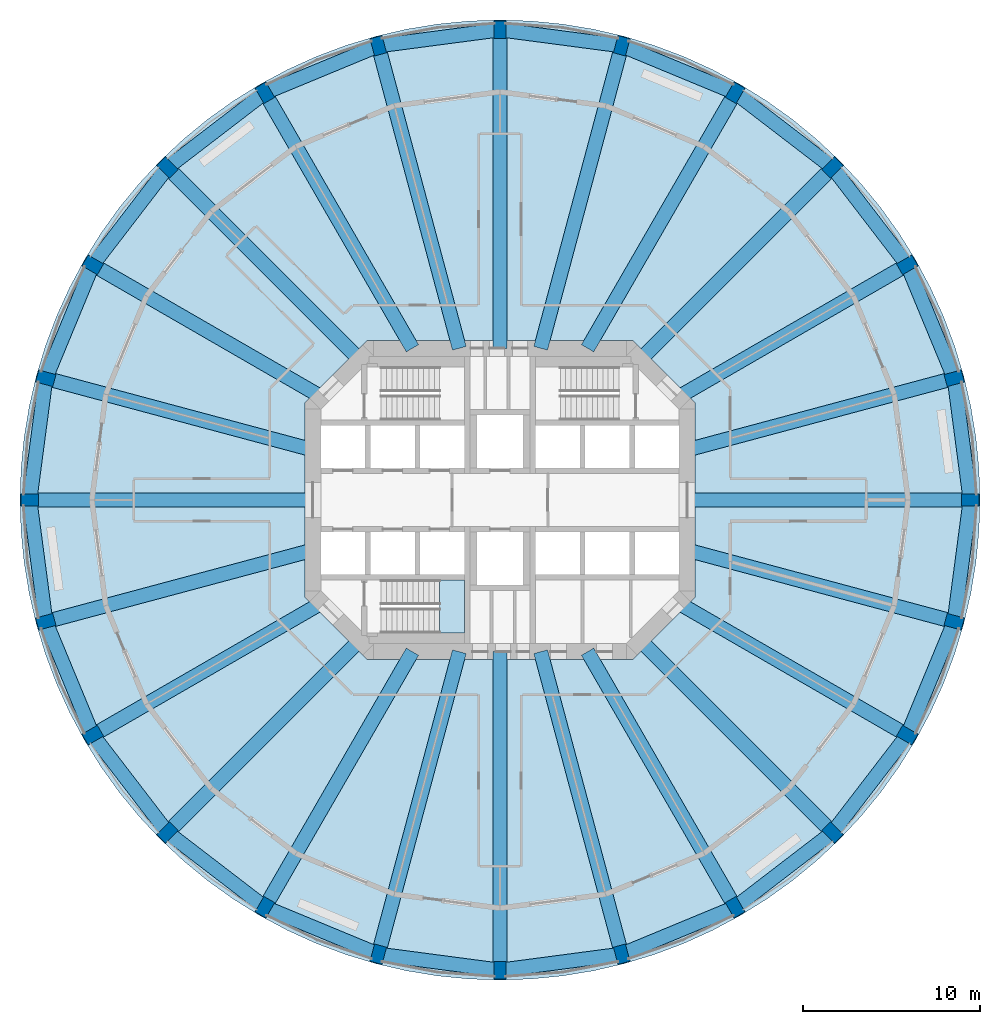
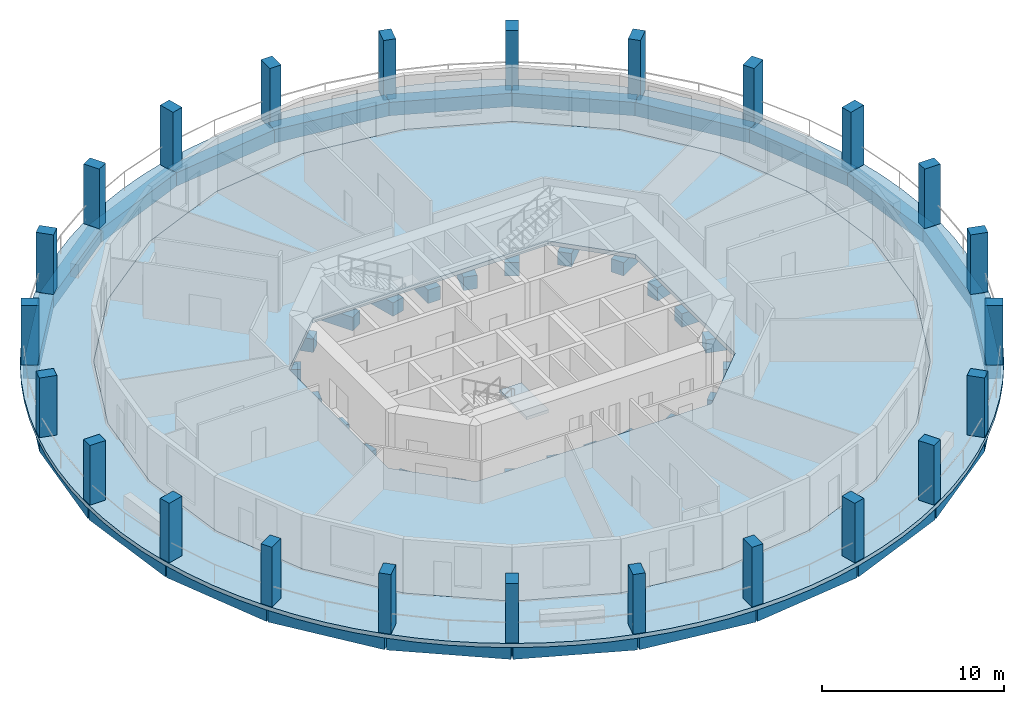
# One storey, part 1 of 9: 48 beams, 24 columns, 3 slabs, 1 element without a shape of its own.
"""IFC4 building model written with IfcOpenShell, lengths in metres."""

from ifc_helpers import new_model, si_unit, direction, frame, origin, origin_2d, place, context, subcontext, project, spatial, polyline, rectangle, outline, extrude, material, layer, layer_set, material_profile, profile_set, type_object, element, aggregate, save


model = new_model("IFC4")

# Units and contexts
model_context = context("Model", 3, precision=1e-05, world=origin(), true_north=direction((0.0, 1.0)))
body_context = subcontext(model_context, "Body", "Model", "MODEL_VIEW")
ifc_project = project(units=[si_unit("LENGTHUNIT", "METRE"), si_unit("AREAUNIT", "SQUARE_METRE"), si_unit("VOLUMEUNIT", "CUBIC_METRE"), si_unit("PLANEANGLEUNIT", "RADIAN"), si_unit("MASSUNIT", "GRAM", prefix="KILO")], contexts=[model_context])

# Site, building, storey
site_placement = place(None, origin())
site = spatial("IfcSite", under=ifc_project, at=site_placement, CompositionType="ELEMENT")
building_placement = place(site_placement, origin())
building = spatial("IfcBuilding", under=site, at=building_placement, Name="Torre Triforio", CompositionType="ELEMENT")
storey_placement = place(building_placement, frame((0.0, 0.0, 75.0)))
storey = spatial("IfcBuildingStorey", under=building, at=storey_placement, Name="L16", CompositionType="ELEMENT", Elevation=75.0)

# Columns
ifc_material_1 = material(Name="Concrete C70", Category="concrete")
ifc_material_profile_1 = material_profile(ifc_material_1, rectangle(XDim=0.699951171875, YDim=1.0, at=origin_2d()), Name="RC 700x1000")
ifc_profile_set_1 = profile_set([ifc_material_profile_1], Name="Concrete C70")
column_type = type_object("IfcColumnType", Name="Pier RC 700x1000 C70", PredefinedType="COLUMN", material=ifc_profile_set_1)
for number, where, z_axis, x_axis, name in (
    (1, (26.5, 0.0, 0.0), (0.0, 0.0, 1.0), (0.0, 1.0, 0.0), "COL.R.L16.00"),
    (2, (25.596923828125, 6.858642578125, 0.0), (0.0, 0.0, 1.0), (-0.258819045103, 0.965925826289, 0.0), "COL.R.L16.01"),
    (3, (22.94970703125, 13.25, 0.0), (0.0, 0.0, 1.0), (-0.5, 0.866025403784, 0.0), "COL.R.L16.02"),
    (4, (18.73828125, 18.73828125, 0.0), (0.0, 0.0, 1.0), (-0.707106781187, 0.707106781187, 0.0), "COL.R.L16.03"),
    (5, (13.25, 22.94970703125, 0.0), (0.0, 0.0, 1.0), (-0.866025403784, 0.5, 0.0), "COL.R.L16.04"),
    (6, (6.858642578125, 25.596923828125, 0.0), (0.0, 0.0, 1.0), (-0.965925826289, 0.258819045103, 0.0), "COL.R.L16.05"),
    (7, (0.0, 26.5, 0.0), (0.0, 0.0, 1.0), (-1.0, 0.0, 0.0), "COL.R.L16.06"),
    (8, (-6.858642578125, 25.596923828125, 0.0), (0.0, 0.0, 1.0), (-0.965925826289, -0.258819045103, 0.0), "COL.R.L16.07"),
    (9, (-13.25, 22.94970703125, 0.0), (0.0, 0.0, 1.0), (-0.866025403784, -0.5, 0.0), "COL.R.L16.08"),
    (10, (-18.73828125, 18.73828125, 0.0), (0.0, 0.0, 1.0), (-0.707106781187, -0.707106781187, 0.0), "COL.R.L16.09"),
    (11, (-22.94970703125, 13.25, 0.0), (0.0, 0.0, 1.0), (-0.5, -0.866025403784, 0.0), "COL.R.L16.10"),
    (12, (-25.596923828125, 6.858642578125, 0.0), (0.0, 0.0, 1.0), (-0.258819045103, -0.965925826289, 0.0), "COL.R.L16.11"),
    (13, (-26.5, 0.0, 0.0), (0.0, 0.0, 1.0), (0.0, -1.0, 0.0), "COL.R.L16.12"),
    (14, (-25.596923828125, -6.858642578125, 0.0), (0.0, 0.0, 1.0), (0.258819045103, -0.965925826289, 0.0), "COL.R.L16.13"),
    (15, (-22.94970703125, -13.25, 0.0), (0.0, 0.0, 1.0), (0.5, -0.866025403784, 0.0), "COL.R.L16.14"),
    (16, (-18.73828125, -18.73828125, 0.0), (0.0, 0.0, 1.0), (0.707106781187, -0.707106781187, 0.0), "COL.R.L16.15"),
    (17, (-13.25, -22.94970703125, 0.0), (0.0, 0.0, 1.0), (0.866025403784, -0.5, 0.0), "COL.R.L16.16"),
    (18, (-6.858642578125, -25.596923828125, 0.0), (0.0, 0.0, 1.0), (0.965925826289, -0.258819045103, 0.0), "COL.R.L16.17"),
    (19, (0.0, -26.5, 0.0), (0.0, 0.0, 1.0), (1.0, 0.0, 0.0), "COL.R.L16.18"),
    (20, (6.858642578125, -25.596923828125, 0.0), (0.0, 0.0, 1.0), (0.965925826289, 0.258819045103, 0.0), "COL.R.L16.19"),
    (21, (13.25, -22.94970703125, 0.0), (0.0, 0.0, 1.0), (0.866025403784, 0.5, 0.0), "COL.R.L16.20"),
    (22, (18.73828125, -18.73828125, 0.0), (0.0, 0.0, 1.0), (0.707106781187, 0.707106781187, 0.0), "COL.R.L16.21"),
    (23, (22.94970703125, -13.25, 0.0), (0.0, 0.0, 1.0), (0.5, 0.866025403784, 0.0), "COL.R.L16.22"),
    (24, (25.596923828125, -6.858642578125, 0.0), (0.0, 0.0, 1.0), (0.258819045103, 0.965925826289, 0.0), "COL.R.L16.23"),
):
    element("IfcColumn", number, at=place(storey_placement, frame(where, z_axis=z_axis, x_axis=x_axis)), inside=storey, type_object=column_type, Name=name, PredefinedType="COLUMN", context=body_context, shape_type="SweptSolid", body=[
        extrude(rectangle(XDim=0.699951171875, YDim=1.0, at=origin_2d()), origin(), (0.0, 0.0, 1.0), 4.0),
    ])

# Beams
ifc_material_2 = material(Name="Concrete C50", Category="concrete")
ifc_material_profile_2 = material_profile(ifc_material_2, rectangle(XDim=0.800048828125, YDim=0.89990234375, at=origin_2d()), Name="RC 800x900")
ifc_profile_set_2 = profile_set([ifc_material_profile_2], Name="Concrete C50")
beam_type_1 = type_object("IfcBeamType", Name="Radial beam RC 800x900 C50", PredefinedType="BEAM", material=ifc_profile_set_2)
beam_1_placement = place(storey_placement, frame((10.550048828125, 0.0, -0.72998046875), z_axis=(1.0, 0.0, 0.0), x_axis=(0.0, 1.0, 0.0)))
element("IfcBeam", 25, at=beam_1_placement, inside=storey, type_object=beam_type_1, Name="BM.R.L16.00", PredefinedType="BEAM", context=body_context, shape_type="SweptSolid", body=[
    extrude(rectangle(XDim=0.800048828125, YDim=0.89990234375, at=origin_2d()), origin(), (0.0, 0.0, 1.0), 15.949951171875),
])
beam_2_placement = place(storey_placement, frame((10.550048828125, 2.826904296875, -0.72998046875), z_axis=(0.965926784764, 0.258815467997, 0.0), x_axis=(-0.258815467997, 0.965926784764, 0.0)))
element("IfcBeam", 26, at=beam_2_placement, inside=storey, type_object=beam_type_1, Name="BM.R.L16.01", PredefinedType="BEAM", context=body_context, shape_type="SweptSolid", body=[
    extrude(rectangle(XDim=0.800048828125, YDim=0.89990234375, at=origin_2d()), origin(), (0.0, 0.0, 1.0), 15.57763671875),
])
beam_3_placement = place(storey_placement, frame((10.039794921875, 5.796630859375, -0.72998046875), z_axis=(0.866030402573, 0.499991341745, 0.0), x_axis=(-0.499991341745, 0.866030402573, 0.0)))
element("IfcBeam", 27, at=beam_3_placement, inside=storey, type_object=beam_type_1, Name="BM.R.L16.02", PredefinedType="BEAM", context=body_context, shape_type="SweptSolid", body=[
    extrude(rectangle(XDim=0.800048828125, YDim=0.89990234375, at=origin_2d()), origin(), (0.0, 0.0, 1.0), 14.906982421875),
])
beam_4_placement = place(storey_placement, frame((7.918212890625, 7.918212890625, -0.72998046875), z_axis=(0.707106781187, 0.707106781187, 0.0), x_axis=(-0.707106781187, 0.707106781187, 0.0)))
element("IfcBeam", 28, at=beam_4_placement, inside=storey, type_object=beam_type_1, Name="BM.R.L16.03", PredefinedType="BEAM", context=body_context, shape_type="SweptSolid", body=[
    extrude(rectangle(XDim=0.800048828125, YDim=0.89990234375, at=origin_2d()), origin(), (0.0, 0.0, 1.0), 15.302001953125),
])
beam_5_placement = place(storey_placement, frame((4.936279296875, 8.550048828125, -0.72998046875), z_axis=(0.500003345241, 0.8660234724, 0.0), x_axis=(-0.8660234724, 0.500003345241, 0.0)))
element("IfcBeam", 29, at=beam_5_placement, inside=storey, type_object=beam_type_1, Name="BM.R.L16.04", PredefinedType="BEAM", context=body_context, shape_type="SweptSolid", body=[
    extrude(rectangle(XDim=0.800048828125, YDim=0.89990234375, at=origin_2d()), origin(), (0.0, 0.0, 1.0), 16.62744140625),
])
beam_6_placement = place(storey_placement, frame((2.291015625, 8.550048828125, -0.72998046875), z_axis=(0.258815374176, 0.965926809903, 0.0), x_axis=(-0.965926809903, 0.258815374176, 0.0)))
element("IfcBeam", 30, at=beam_6_placement, inside=storey, type_object=beam_type_1, Name="BM.R.L16.05", PredefinedType="BEAM", context=body_context, shape_type="SweptSolid", body=[
    extrude(rectangle(XDim=0.800048828125, YDim=0.89990234375, at=origin_2d()), origin(), (0.0, 0.0, 1.0), 17.648193359375),
])
beam_7_placement = place(storey_placement, frame((0.0, 8.550048828125, -0.72998046875), z_axis=(0.0, 1.0, 0.0), x_axis=(-1.0, 0.0, 0.0)))
element("IfcBeam", 31, at=beam_7_placement, inside=storey, type_object=beam_type_1, Name="BM.R.L16.06", PredefinedType="BEAM", context=body_context, shape_type="SweptSolid", body=[
    extrude(rectangle(XDim=0.800048828125, YDim=0.89990234375, at=origin_2d()), origin(), (0.0, 0.0, 1.0), 17.949951171875),
])
beam_8_placement = place(storey_placement, frame((-2.291015625, 8.550048828125, -0.72998046875), z_axis=(-0.258815374176, 0.965926809903, 0.0), x_axis=(-0.965926809903, -0.258815374176, 0.0)))
element("IfcBeam", 32, at=beam_8_placement, inside=storey, type_object=beam_type_1, Name="BM.R.L16.07", PredefinedType="BEAM", context=body_context, shape_type="SweptSolid", body=[
    extrude(rectangle(XDim=0.800048828125, YDim=0.89990234375, at=origin_2d()), origin(), (0.0, 0.0, 1.0), 17.648193359375),
])
beam_9_placement = place(storey_placement, frame((-4.936279296875, 8.550048828125, -0.72998046875), z_axis=(-0.500003345241, 0.8660234724, 0.0), x_axis=(-0.8660234724, -0.500003345241, 0.0)))
element("IfcBeam", 33, at=beam_9_placement, inside=storey, type_object=beam_type_1, Name="BM.R.L16.08", PredefinedType="BEAM", context=body_context, shape_type="SweptSolid", body=[
    extrude(rectangle(XDim=0.800048828125, YDim=0.89990234375, at=origin_2d()), origin(), (0.0, 0.0, 1.0), 16.62744140625),
])
beam_10_placement = place(storey_placement, frame((-7.918212890625, 7.918212890625, -0.72998046875), z_axis=(-0.707106781187, 0.707106781187, 0.0), x_axis=(-0.707106781187, -0.707106781187, 0.0)))
element("IfcBeam", 34, at=beam_10_placement, inside=storey, type_object=beam_type_1, Name="BM.R.L16.09", PredefinedType="BEAM", context=body_context, shape_type="SweptSolid", body=[
    extrude(rectangle(XDim=0.800048828125, YDim=0.89990234375, at=origin_2d()), origin(), (0.0, 0.0, 1.0), 15.302001953125),
])
beam_11_placement = place(storey_placement, frame((-10.039794921875, 5.796630859375, -0.72998046875), z_axis=(-0.866030402573, 0.499991341745, 0.0), x_axis=(-0.499991341745, -0.866030402573, 0.0)))
element("IfcBeam", 35, at=beam_11_placement, inside=storey, type_object=beam_type_1, Name="BM.R.L16.10", PredefinedType="BEAM", context=body_context, shape_type="SweptSolid", body=[
    extrude(rectangle(XDim=0.800048828125, YDim=0.89990234375, at=origin_2d()), origin(), (0.0, 0.0, 1.0), 14.906982421875),
])
beam_12_placement = place(storey_placement, frame((-10.550048828125, 2.826904296875, -0.72998046875), z_axis=(-0.965926784764, 0.258815467997, 0.0), x_axis=(-0.258815467997, -0.965926784764, 0.0)))
element("IfcBeam", 36, at=beam_12_placement, inside=storey, type_object=beam_type_1, Name="BM.R.L16.11", PredefinedType="BEAM", context=body_context, shape_type="SweptSolid", body=[
    extrude(rectangle(XDim=0.800048828125, YDim=0.89990234375, at=origin_2d()), origin(), (0.0, 0.0, 1.0), 15.57763671875),
])
beam_13_placement = place(storey_placement, frame((-10.550048828125, 0.0, -0.72998046875), z_axis=(-1.0, 0.0, 0.0), x_axis=(0.0, -1.0, 0.0)))
element("IfcBeam", 37, at=beam_13_placement, inside=storey, type_object=beam_type_1, Name="BM.R.L16.12", PredefinedType="BEAM", context=body_context, shape_type="SweptSolid", body=[
    extrude(rectangle(XDim=0.800048828125, YDim=0.89990234375, at=origin_2d()), origin(), (0.0, 0.0, 1.0), 15.949951171875),
])
beam_14_placement = place(storey_placement, frame((-10.550048828125, -2.826904296875, -0.72998046875), z_axis=(-0.965926784764, -0.258815467997, 0.0), x_axis=(0.258815467997, -0.965926784764, 0.0)))
element("IfcBeam", 38, at=beam_14_placement, inside=storey, type_object=beam_type_1, Name="BM.R.L16.13", PredefinedType="BEAM", context=body_context, shape_type="SweptSolid", body=[
    extrude(rectangle(XDim=0.800048828125, YDim=0.89990234375, at=origin_2d()), origin(), (0.0, 0.0, 1.0), 15.57763671875),
])
beam_15_placement = place(storey_placement, frame((-10.039794921875, -5.796630859375, -0.72998046875), z_axis=(-0.866030402573, -0.499991341745, 0.0), x_axis=(0.499991341745, -0.866030402573, 0.0)))
element("IfcBeam", 39, at=beam_15_placement, inside=storey, type_object=beam_type_1, Name="BM.R.L16.14", PredefinedType="BEAM", context=body_context, shape_type="SweptSolid", body=[
    extrude(rectangle(XDim=0.800048828125, YDim=0.89990234375, at=origin_2d()), origin(), (0.0, 0.0, 1.0), 14.906982421875),
])
beam_16_placement = place(storey_placement, frame((-7.918212890625, -7.918212890625, -0.72998046875), z_axis=(-0.707106781187, -0.707106781187, 0.0), x_axis=(0.707106781187, -0.707106781187, 0.0)))
element("IfcBeam", 40, at=beam_16_placement, inside=storey, type_object=beam_type_1, Name="BM.R.L16.15", PredefinedType="BEAM", context=body_context, shape_type="SweptSolid", body=[
    extrude(rectangle(XDim=0.800048828125, YDim=0.89990234375, at=origin_2d()), origin(), (0.0, 0.0, 1.0), 15.302001953125),
])
beam_17_placement = place(storey_placement, frame((-4.936279296875, -8.550048828125, -0.72998046875), z_axis=(-0.500003345241, -0.8660234724, 0.0), x_axis=(0.8660234724, -0.500003345241, 0.0)))
element("IfcBeam", 41, at=beam_17_placement, inside=storey, type_object=beam_type_1, Name="BM.R.L16.16", PredefinedType="BEAM", context=body_context, shape_type="SweptSolid", body=[
    extrude(rectangle(XDim=0.800048828125, YDim=0.89990234375, at=origin_2d()), origin(), (0.0, 0.0, 1.0), 16.62744140625),
])
beam_18_placement = place(storey_placement, frame((-2.291015625, -8.550048828125, -0.72998046875), z_axis=(-0.258815374176, -0.965926809903, 0.0), x_axis=(0.965926809903, -0.258815374176, 0.0)))
element("IfcBeam", 42, at=beam_18_placement, inside=storey, type_object=beam_type_1, Name="BM.R.L16.17", PredefinedType="BEAM", context=body_context, shape_type="SweptSolid", body=[
    extrude(rectangle(XDim=0.800048828125, YDim=0.89990234375, at=origin_2d()), origin(), (0.0, 0.0, 1.0), 17.648193359375),
])
beam_19_placement = place(storey_placement, frame((0.0, -8.550048828125, -0.72998046875), z_axis=(0.0, -1.0, 0.0), x_axis=(1.0, 0.0, 0.0)))
element("IfcBeam", 43, at=beam_19_placement, inside=storey, type_object=beam_type_1, Name="BM.R.L16.18", PredefinedType="BEAM", context=body_context, shape_type="SweptSolid", body=[
    extrude(rectangle(XDim=0.800048828125, YDim=0.89990234375, at=origin_2d()), origin(), (0.0, 0.0, 1.0), 17.949951171875),
])
beam_20_placement = place(storey_placement, frame((2.291015625, -8.550048828125, -0.72998046875), z_axis=(0.258815374176, -0.965926809903, 0.0), x_axis=(0.965926809903, 0.258815374176, 0.0)))
element("IfcBeam", 44, at=beam_20_placement, inside=storey, type_object=beam_type_1, Name="BM.R.L16.19", PredefinedType="BEAM", context=body_context, shape_type="SweptSolid", body=[
    extrude(rectangle(XDim=0.800048828125, YDim=0.89990234375, at=origin_2d()), origin(), (0.0, 0.0, 1.0), 17.648193359375),
])
beam_21_placement = place(storey_placement, frame((4.936279296875, -8.550048828125, -0.72998046875), z_axis=(0.500003345241, -0.8660234724, 0.0), x_axis=(0.8660234724, 0.500003345241, 0.0)))
element("IfcBeam", 45, at=beam_21_placement, inside=storey, type_object=beam_type_1, Name="BM.R.L16.20", PredefinedType="BEAM", context=body_context, shape_type="SweptSolid", body=[
    extrude(rectangle(XDim=0.800048828125, YDim=0.89990234375, at=origin_2d()), origin(), (0.0, 0.0, 1.0), 16.62744140625),
])
beam_22_placement = place(storey_placement, frame((7.918212890625, -7.918212890625, -0.72998046875), z_axis=(0.707106781187, -0.707106781187, 0.0), x_axis=(0.707106781187, 0.707106781187, 0.0)))
element("IfcBeam", 46, at=beam_22_placement, inside=storey, type_object=beam_type_1, Name="BM.R.L16.21", PredefinedType="BEAM", context=body_context, shape_type="SweptSolid", body=[
    extrude(rectangle(XDim=0.800048828125, YDim=0.89990234375, at=origin_2d()), origin(), (0.0, 0.0, 1.0), 15.302001953125),
])
beam_23_placement = place(storey_placement, frame((10.039794921875, -5.796630859375, -0.72998046875), z_axis=(0.866030402573, -0.499991341745, 0.0), x_axis=(0.499991341745, 0.866030402573, 0.0)))
element("IfcBeam", 47, at=beam_23_placement, inside=storey, type_object=beam_type_1, Name="BM.R.L16.22", PredefinedType="BEAM", context=body_context, shape_type="SweptSolid", body=[
    extrude(rectangle(XDim=0.800048828125, YDim=0.89990234375, at=origin_2d()), origin(), (0.0, 0.0, 1.0), 14.906982421875),
])
beam_24_placement = place(storey_placement, frame((10.550048828125, -2.826904296875, -0.72998046875), z_axis=(0.965926784764, -0.258815467997, 0.0), x_axis=(0.258815467997, 0.965926784764, 0.0)))
element("IfcBeam", 48, at=beam_24_placement, inside=storey, type_object=beam_type_1, Name="BM.R.L16.23", PredefinedType="BEAM", context=body_context, shape_type="SweptSolid", body=[
    extrude(rectangle(XDim=0.800048828125, YDim=0.89990234375, at=origin_2d()), origin(), (0.0, 0.0, 1.0), 15.57763671875),
])
ifc_material_profile_3 = material_profile(ifc_material_2, rectangle(XDim=0.800048828125, YDim=0.89990234375, at=origin_2d()), Name="RC 800x900")
ifc_profile_set_3 = profile_set([ifc_material_profile_3], Name="Concrete C50")
beam_type_2 = type_object("IfcBeamType", Name="Spandrel beam RC 800x900 C50", PredefinedType="SPANDREL", material=ifc_profile_set_3)
beam_25_placement = place(storey_placement, frame((26.5, 0.0, -0.72998046875), z_axis=(-0.130543064996, 0.991442639885, 0.0), x_axis=(-0.991442639885, -0.130543064996, 0.0)))
element("IfcBeam", 49, at=beam_25_placement, inside=storey, type_object=beam_type_2, Name="BM.S.L16.00", PredefinedType="SPANDREL", context=body_context, shape_type="SweptSolid", body=[
    extrude(rectangle(XDim=0.800048828125, YDim=0.89990234375, at=origin_2d()), origin(), (0.0, 0.0, 1.0), 6.917724609375),
])
for number, where, z_axis, x_axis, name in (
    (50, (25.596923828125, 6.858642578125, -0.72998046875), (-0.382662441128, 0.923888227087, 0.0), (-0.923888227087, -0.382662441128, 0.0), "BM.S.L16.01"),
    (51, (22.94970703125, 13.25, -0.72998046875), (-0.608772297796, 0.793345000259, 0.0), (-0.793345000259, -0.608772297796, 0.0), "BM.S.L16.02"),
    (52, (18.73828125, 18.73828125, -0.72998046875), (-0.793345000259, 0.608772297796, 0.0), (-0.608772297796, -0.793345000259, 0.0), "BM.S.L16.03"),
    (53, (13.25, 22.94970703125, -0.72998046875), (-0.923888227087, 0.382662441128, 0.0), (-0.382662441128, -0.923888227087, 0.0), "BM.S.L16.04"),
):
    element("IfcBeam", number, at=place(storey_placement, frame(where, z_axis=z_axis, x_axis=x_axis)), inside=storey, type_object=beam_type_2, Name=name, PredefinedType="SPANDREL", context=body_context, shape_type="SweptSolid", body=[
        extrude(rectangle(XDim=0.800048828125, YDim=0.89990234375, at=origin_2d()), origin(), (0.0, 0.0, 1.0), 6.91796875),
    ])
for number, where, z_axis, x_axis, name in (
    (54, (6.858642578125, 25.596923828125, -0.72998046875), (-0.991442639885, 0.130543064996, 0.0), (-0.130543064996, -0.991442639885, 0.0), "BM.S.L16.05"),
    (55, (0.0, 26.5, -0.72998046875), (-0.991442639885, -0.130543064996, 0.0), (0.130543064996, -0.991442639885, 0.0), "BM.S.L16.06"),
):
    element("IfcBeam", number, at=place(storey_placement, frame(where, z_axis=z_axis, x_axis=x_axis)), inside=storey, type_object=beam_type_2, Name=name, PredefinedType="SPANDREL", context=body_context, shape_type="SweptSolid", body=[
        extrude(rectangle(XDim=0.800048828125, YDim=0.89990234375, at=origin_2d()), origin(), (0.0, 0.0, 1.0), 6.917724609375),
    ])
for number, where, z_axis, x_axis, name in (
    (56, (-6.858642578125, 25.596923828125, -0.72998046875), (-0.923888227087, -0.382662441128, 0.0), (0.382662441128, -0.923888227087, 0.0), "BM.S.L16.07"),
    (57, (-13.25, 22.94970703125, -0.72998046875), (-0.793345000259, -0.608772297796, 0.0), (0.608772297796, -0.793345000259, 0.0), "BM.S.L16.08"),
    (58, (-18.73828125, 18.73828125, -0.72998046875), (-0.608772297796, -0.793345000259, 0.0), (0.793345000259, -0.608772297796, 0.0), "BM.S.L16.09"),
    (59, (-22.94970703125, 13.25, -0.72998046875), (-0.382662441128, -0.923888227087, 0.0), (0.923888227087, -0.382662441128, 0.0), "BM.S.L16.10"),
):
    element("IfcBeam", number, at=place(storey_placement, frame(where, z_axis=z_axis, x_axis=x_axis)), inside=storey, type_object=beam_type_2, Name=name, PredefinedType="SPANDREL", context=body_context, shape_type="SweptSolid", body=[
        extrude(rectangle(XDim=0.800048828125, YDim=0.89990234375, at=origin_2d()), origin(), (0.0, 0.0, 1.0), 6.91796875),
    ])
for number, where, z_axis, x_axis, name in (
    (60, (-25.596923828125, 6.858642578125, -0.72998046875), (-0.130543064996, -0.991442639885, 0.0), (0.991442639885, -0.130543064996, 0.0), "BM.S.L16.11"),
    (61, (-26.5, 0.0, -0.72998046875), (0.130543064996, -0.991442639885, 0.0), (0.991442639885, 0.130543064996, 0.0), "BM.S.L16.12"),
):
    element("IfcBeam", number, at=place(storey_placement, frame(where, z_axis=z_axis, x_axis=x_axis)), inside=storey, type_object=beam_type_2, Name=name, PredefinedType="SPANDREL", context=body_context, shape_type="SweptSolid", body=[
        extrude(rectangle(XDim=0.800048828125, YDim=0.89990234375, at=origin_2d()), origin(), (0.0, 0.0, 1.0), 6.917724609375),
    ])
for number, where, z_axis, x_axis, name in (
    (62, (-25.596923828125, -6.858642578125, -0.72998046875), (0.382662441128, -0.923888227087, 0.0), (0.923888227087, 0.382662441128, 0.0), "BM.S.L16.13"),
    (63, (-22.94970703125, -13.25, -0.72998046875), (0.608772297796, -0.793345000259, 0.0), (0.793345000259, 0.608772297796, 0.0), "BM.S.L16.14"),
    (64, (-18.73828125, -18.73828125, -0.72998046875), (0.793345000259, -0.608772297796, 0.0), (0.608772297796, 0.793345000259, 0.0), "BM.S.L16.15"),
    (65, (-13.25, -22.94970703125, -0.72998046875), (0.923888227087, -0.382662441128, 0.0), (0.382662441128, 0.923888227087, 0.0), "BM.S.L16.16"),
):
    element("IfcBeam", number, at=place(storey_placement, frame(where, z_axis=z_axis, x_axis=x_axis)), inside=storey, type_object=beam_type_2, Name=name, PredefinedType="SPANDREL", context=body_context, shape_type="SweptSolid", body=[
        extrude(rectangle(XDim=0.800048828125, YDim=0.89990234375, at=origin_2d()), origin(), (0.0, 0.0, 1.0), 6.91796875),
    ])
for number, where, z_axis, x_axis, name in (
    (66, (-6.858642578125, -25.596923828125, -0.72998046875), (0.991442639885, -0.130543064996, 0.0), (0.130543064996, 0.991442639885, 0.0), "BM.S.L16.17"),
    (67, (0.0, -26.5, -0.72998046875), (0.991442639885, 0.130543064996, 0.0), (-0.130543064996, 0.991442639885, 0.0), "BM.S.L16.18"),
):
    element("IfcBeam", number, at=place(storey_placement, frame(where, z_axis=z_axis, x_axis=x_axis)), inside=storey, type_object=beam_type_2, Name=name, PredefinedType="SPANDREL", context=body_context, shape_type="SweptSolid", body=[
        extrude(rectangle(XDim=0.800048828125, YDim=0.89990234375, at=origin_2d()), origin(), (0.0, 0.0, 1.0), 6.917724609375),
    ])
for number, where, z_axis, x_axis, name in (
    (68, (6.858642578125, -25.596923828125, -0.72998046875), (0.923888227087, 0.382662441128, 0.0), (-0.382662441128, 0.923888227087, 0.0), "BM.S.L16.19"),
    (69, (13.25, -22.94970703125, -0.72998046875), (0.793345000259, 0.608772297796, 0.0), (-0.608772297796, 0.793345000259, 0.0), "BM.S.L16.20"),
    (70, (18.73828125, -18.73828125, -0.72998046875), (0.608772297796, 0.793345000259, 0.0), (-0.793345000259, 0.608772297796, 0.0), "BM.S.L16.21"),
    (71, (22.94970703125, -13.25, -0.72998046875), (0.382662441128, 0.923888227087, 0.0), (-0.923888227087, 0.382662441128, 0.0), "BM.S.L16.22"),
):
    element("IfcBeam", number, at=place(storey_placement, frame(where, z_axis=z_axis, x_axis=x_axis)), inside=storey, type_object=beam_type_2, Name=name, PredefinedType="SPANDREL", context=body_context, shape_type="SweptSolid", body=[
        extrude(rectangle(XDim=0.800048828125, YDim=0.89990234375, at=origin_2d()), origin(), (0.0, 0.0, 1.0), 6.91796875),
    ])
beam_26_placement = place(storey_placement, frame((25.596923828125, -6.858642578125, -0.72998046875), z_axis=(0.130543064996, 0.991442639885, 0.0), x_axis=(-0.991442639885, 0.130543064996, 0.0)))
element("IfcBeam", 72, at=beam_26_placement, inside=storey, type_object=beam_type_2, Name="BM.S.L16.23", PredefinedType="SPANDREL", context=body_context, shape_type="SweptSolid", body=[
    extrude(rectangle(XDim=0.800048828125, YDim=0.89990234375, at=origin_2d()), origin(), (0.0, 0.0, 1.0), 6.917724609375),
])

# Slabs
ifc_layer_1 = layer(ifc_material_2, 0.280029296875)
ifc_layer_set_1 = layer_set([ifc_layer_1], Name="Concrete C50")
slab_type_1 = type_object("IfcSlabType", Name="Floor slab 280 C50", PredefinedType="FLOOR", material=ifc_layer_set_1)
slab_1_placement = place(storey_placement, frame((0.0, 0.0, -0.280029296875)))
element("IfcSlab", 73, at=slab_1_placement, inside=storey, type_object=slab_type_1, Name="SL.L16", PredefinedType="FLOOR", context=body_context, shape_type="SweptSolid", body=[
    extrude(outline(polyline([(19.918701171875, -11.5), (22.21630859375, -5.952880859375), (23.0, 0.0), (22.21630859375, 5.952880859375), (19.918701171875, 11.5), (16.263427734375, 16.263427734375), (11.5, 19.918701171875), (5.952880859375, 22.21630859375), (0.0, 23.0), (-5.952880859375, 22.21630859375), (-11.5, 19.918701171875), (-16.263427734375, 16.263427734375), (-19.918701171875, 11.5), (-22.21630859375, 5.952880859375), (-23.0, 0.0), (-22.21630859375, -5.952880859375), (-19.918701171875, -11.5), (-16.263427734375, -16.263427734375), (-11.5, -19.918701171875), (-5.952880859375, -22.21630859375), (0.0, -23.0), (5.952880859375, -22.21630859375), (11.5, -19.918701171875), (16.263427734375, -16.263427734375), (19.918701171875, -11.5)]), holes=[polyline([(11.0, 5.472900390625), (11.0, -5.472900390625), (7.472900390625, -9.0), (-7.472900390625, -9.0), (-11.0, -5.472900390625), (-11.0, 5.472900390625), (-7.472900390625, 9.0), (7.472900390625, 9.0), (11.0, 5.472900390625)])]), origin(), (0.0, 0.0, 1.0), 0.280029296875),
])
ifc_layer_2 = layer(ifc_material_2, 0.280029296875)
ifc_layer_set_2 = layer_set([ifc_layer_2], Name="Concrete C50")
slab_type_2 = type_object("IfcSlabType", Name="Loggia slab 280 C50", PredefinedType="FLOOR", material=ifc_layer_set_2)
slab_2_placement = place(storey_placement, frame((0.0, 0.0, -0.280029296875)))
element("IfcSlab", 74, at=slab_2_placement, inside=storey, type_object=slab_type_2, Name="SL.L16.LG", PredefinedType="FLOOR", context=body_context, shape_type="SweptSolid", body=[
    extrude(outline(polyline([(26.9921875, -1.76904296875), (27.050048828125, 0.0), (26.9921875, 1.76904296875), (26.818603515625, 3.53076171875), (26.5302734375, 5.277099609375), (26.128173828125, 7.0009765625), (25.614501953125, 8.69482421875), (24.990966796875, 10.3515625), (24.260498046875, 11.9638671875), (23.426025390625, 13.52490234375), (22.4912109375, 15.028076171875), (21.460205078125, 16.467041015625), (20.337158203125, 17.835205078125), (19.127197265625, 19.127197265625), (17.835205078125, 20.337158203125), (16.467041015625, 21.460205078125), (15.028076171875, 22.4912109375), (13.52490234375, 23.426025390625), (11.9638671875, 24.260498046875), (10.3515625, 24.990966796875), (8.69482421875, 25.614501953125), (7.0009765625, 26.128173828125), (5.277099609375, 26.5302734375), (3.53076171875, 26.818603515625), (1.76904296875, 26.9921875), (0.0, 27.050048828125), (-1.76904296875, 26.9921875), (-3.53076171875, 26.818603515625), (-5.277099609375, 26.5302734375), (-7.0009765625, 26.128173828125), (-8.69482421875, 25.614501953125), (-10.3515625, 24.990966796875), (-11.9638671875, 24.260498046875), (-13.52490234375, 23.426025390625), (-15.028076171875, 22.4912109375), (-16.467041015625, 21.460205078125), (-17.835205078125, 20.337158203125), (-19.127197265625, 19.127197265625), (-20.337158203125, 17.835205078125), (-21.460205078125, 16.467041015625), (-22.4912109375, 15.028076171875), (-23.426025390625, 13.52490234375), (-24.260498046875, 11.9638671875), (-24.990966796875, 10.3515625), (-25.614501953125, 8.69482421875), (-26.128173828125, 7.0009765625), (-26.5302734375, 5.277099609375), (-26.818603515625, 3.53076171875), (-26.9921875, 1.76904296875), (-27.050048828125, 0.0), (-26.9921875, -1.76904296875), (-26.818603515625, -3.53076171875), (-26.5302734375, -5.277099609375), (-26.128173828125, -7.0009765625), (-25.614501953125, -8.69482421875), (-24.990966796875, -10.3515625), (-24.260498046875, -11.9638671875), (-23.426025390625, -13.52490234375), (-22.4912109375, -15.028076171875), (-21.460205078125, -16.467041015625), (-20.337158203125, -17.835205078125), (-19.127197265625, -19.127197265625), (-17.835205078125, -20.337158203125), (-16.467041015625, -21.460205078125), (-15.028076171875, -22.4912109375), (-13.52490234375, -23.426025390625), (-11.9638671875, -24.260498046875), (-10.3515625, -24.990966796875), (-8.69482421875, -25.614501953125), (-7.0009765625, -26.128173828125), (-5.277099609375, -26.5302734375), (-3.53076171875, -26.818603515625), (-1.76904296875, -26.9921875), (0.0, -27.050048828125), (1.76904296875, -26.9921875), (3.53076171875, -26.818603515625), (5.277099609375, -26.5302734375), (7.0009765625, -26.128173828125), (8.69482421875, -25.614501953125), (10.3515625, -24.990966796875), (11.9638671875, -24.260498046875), (13.52490234375, -23.426025390625), (15.028076171875, -22.4912109375), (16.467041015625, -21.460205078125), (17.835205078125, -20.337158203125), (19.127197265625, -19.127197265625), (20.337158203125, -17.835205078125), (21.460205078125, -16.467041015625), (22.4912109375, -15.028076171875), (23.426025390625, -13.52490234375), (24.260498046875, -11.9638671875), (24.990966796875, -10.3515625), (25.614501953125, -8.69482421875), (26.128173828125, -7.0009765625), (26.5302734375, -5.277099609375), (26.818603515625, -3.53076171875), (26.9921875, -1.76904296875)]), holes=[polyline([(22.21630859375, 5.952880859375), (23.0, 0.0), (22.21630859375, -5.952880859375), (19.918701171875, -11.5), (16.263427734375, -16.263427734375), (11.5, -19.918701171875), (5.952880859375, -22.21630859375), (0.0, -23.0), (-5.952880859375, -22.21630859375), (-11.5, -19.918701171875), (-16.263427734375, -16.263427734375), (-19.918701171875, -11.5), (-22.21630859375, -5.952880859375), (-23.0, 0.0), (-22.21630859375, 5.952880859375), (-19.918701171875, 11.5), (-16.263427734375, 16.263427734375), (-11.5, 19.918701171875), (-5.952880859375, 22.21630859375), (0.0, 23.0), (5.952880859375, 22.21630859375), (11.5, 19.918701171875), (16.263427734375, 16.263427734375), (19.918701171875, 11.5), (22.21630859375, 5.952880859375)])]), origin(), (0.0, 0.0, 1.0), 0.280029296875),
])

# Stair, slab
ifc_material_3 = material(Name="Concrete C40", Category="concrete")
stair_type = type_object("IfcStairType", Name="STAIR HALF-TURN", PredefinedType="HALF_TURN_STAIR", material=ifc_material_3)
stair_placement = place(storey_placement, origin())
stair = element("IfcStair", 75, at=stair_placement, inside=storey, type_object=stair_type, Name="Exit stair 3", PredefinedType="HALF_TURN_STAIR")
ifc_layer_3 = layer(ifc_material_3, 0.199951171875)
ifc_layer_set_3 = layer_set([ifc_layer_3], Name="Concrete C40")
slab_type_3 = type_object("IfcSlabType", Name="STAIR LANDING 200", PredefinedType="LANDING", material=ifc_layer_set_3)
slab_3_placement = place(storey_placement, frame((0.0, 0.0, 1.800048828125)))
slab_3 = element("IfcSlab", 76, at=slab_3_placement, type_object=slab_type_3, Name="ST3 landing 1", PredefinedType="LANDING", context=body_context, shape_type="SweptSolid", body=[
    extrude(outline(polyline([(-2.0, -7.5), (-2.0, -4.5), (-3.39990234375, -4.5), (-3.39990234375, -7.5), (-2.0, -7.5)])), origin(), (0.0, 0.0, 1.0), 0.199951171875),
])
aggregate(stair, [slab_3])

save(model, "model.ifc")
